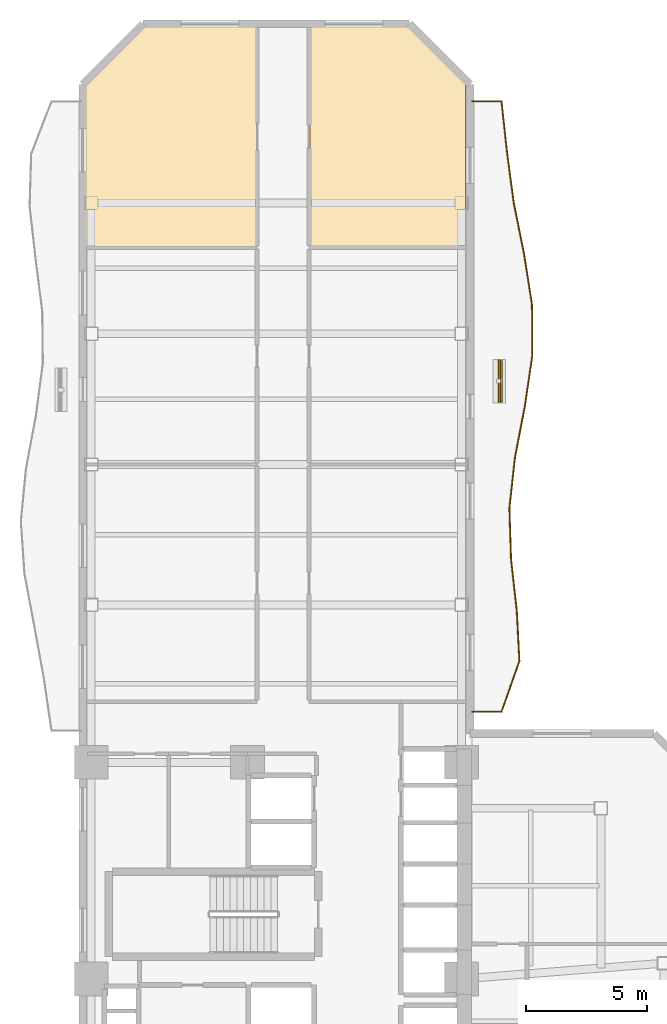
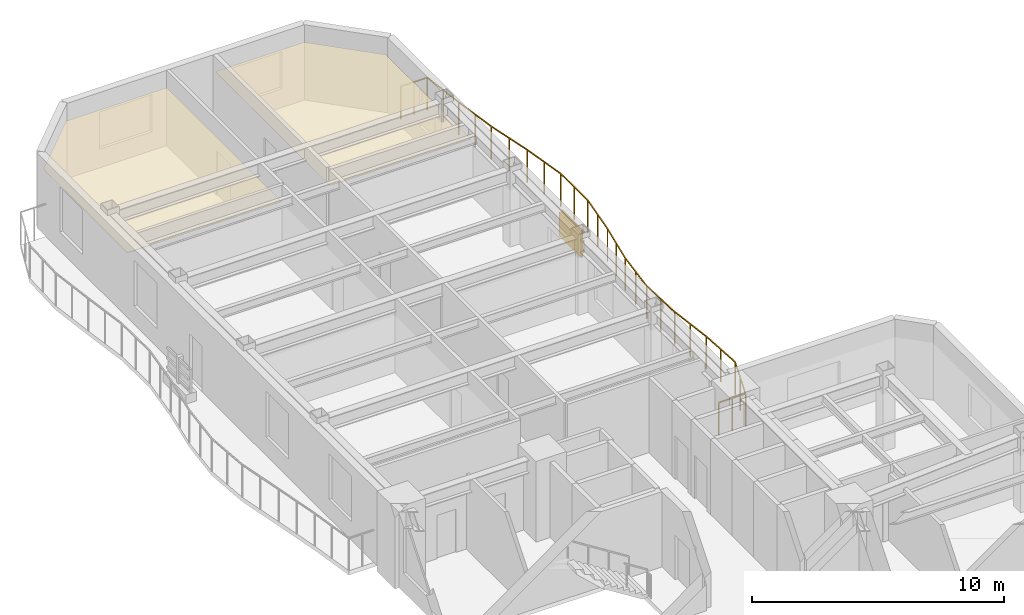
# One storey, part 10 of 10: 4 shading devices, 2 coverings, 1 railing.
"""IFC4 building model written with IfcOpenShell, lengths in metres."""

from ifc_helpers import new_model, si_unit, direction, frame, origin, origin_2d, place, context, subcontext, project, spatial, polyline, rectangle, outline, extrude, material, layer, layer_set, material_profile, profile_set, type_object, element, save


model = new_model("IFC4")

# Units and contexts
model_context = context("Model", 3, precision=1e-05, world=origin(), true_north=direction((0.0, 1.0)))
body_context = subcontext(model_context, "Body", "Model", "MODEL_VIEW")
ifc_project = project(units=[si_unit("LENGTHUNIT", "METRE"), si_unit("AREAUNIT", "SQUARE_METRE"), si_unit("VOLUMEUNIT", "CUBIC_METRE"), si_unit("PLANEANGLEUNIT", "RADIAN"), si_unit("MASSUNIT", "GRAM", prefix="KILO")], contexts=[model_context])

# Site, building, storey
site_placement = place(None, origin())
site = spatial("IfcSite", under=ifc_project, at=site_placement, CompositionType="ELEMENT")
building_placement = place(site_placement, origin())
building = spatial("IfcBuilding", under=site, at=building_placement, Name="Mawjaban Terraces University", CompositionType="ELEMENT")
storey_placement = place(building_placement, frame((0.0, 0.0, 89.5)))
storey = spatial("IfcBuildingStorey", under=building, at=storey_placement, Name="L21", CompositionType="ELEMENT", Elevation=89.5)

# Coverings
ifc_material_1 = material(Name="Acoustic mineral fibre ceiling tile", Category="masonry")
ifc_layer_1 = layer(ifc_material_1, 0.02001953125)
ifc_layer_set_1 = layer_set([ifc_layer_1], Name="Acoustic mineral fibre ceiling tile")
covering_type = type_object("IfcCoveringType", Name="AcousticMineralCeiling_20", PredefinedType="CEILING", material=ifc_layer_set_1)
covering_1_placement = place(storey_placement, frame((0.0, 0.0, 2.75)))
element("IfcCovering", 1, at=covering_1_placement, inside=storey, type_object=covering_type, Name="L21 Teaching Laboratory 14 Acoustic Ceiling", PredefinedType="CEILING", context=body_context, shape_type="SweptSolid", body=[
    extrude(outline(polyline([(29.169921875, 53.885009765625), (24.547119140625, 53.885009765625), (22.114990234375, 51.452880859375), (22.114990234375, 44.7900390625), (29.169921875, 44.7900390625), (29.169921875, 53.885009765625)])), origin(), (0.0, 0.0, 1.0), 0.02001953125),
])
covering_2_placement = place(storey_placement, frame((0.0, 0.0, 2.75)))
element("IfcCovering", 2, at=covering_2_placement, inside=storey, type_object=covering_type, Name="L21 Design Studio 15 Acoustic Ceiling", PredefinedType="CEILING", context=body_context, shape_type="SweptSolid", body=[
    extrude(outline(polyline([(37.820068359375, 51.51806640625), (35.452880859375, 53.885009765625), (31.3798828125, 53.885009765625), (31.3798828125, 44.7900390625), (37.820068359375, 44.7900390625), (37.820068359375, 51.51806640625)])), origin(), (0.0, 0.0, 1.0), 0.02001953125),
])

# Railing
ifc_material_2 = material(Name="Galvanised powder-coated steel S355", Category="steel")
railing_type = type_object("IfcRailingType", Name="BalconyBalustrade_1600", PredefinedType="BALUSTRADE", material=ifc_material_2)
railing_placement = place(storey_placement, frame((38.080078125, 25.5849609375, 0.0)))
element("IfcRailing", 3, at=railing_placement, inside=storey, type_object=railing_type, Name="L21 Balcony Guardrail inner_east", PredefinedType="BALUSTRADE", context=body_context, shape_type="SweptSolid", body=[
    extrude(rectangle(XDim=0.048095703125, YDim=0.048095703125, at=origin_2d()), frame((0.0, 0.0, 1.576171875), z_axis=(1.0, 0.0, 0.0), x_axis=(0.0, 1.0, 0.0)), (0.0, 0.0, 1.0), 1.219970703125),
    extrude(rectangle(XDim=0.048095703125, YDim=0.048095703125, at=origin_2d()), frame((1.219970703125, 0.0, 1.576171875), z_axis=(0.332195160634, 0.943210673843, 0.0), x_axis=(-0.943210673843, 0.332195160634, 0.0)), (0.0, 0.0, 1.0), 2.2275390625),
    extrude(rectangle(XDim=0.048095703125, YDim=0.048095703125, at=origin_2d()), frame((1.9599609375, 2.10107421875, 1.576171875), z_axis=(-0.05230923943, 0.998630934565, 0.0), x_axis=(-0.998630934565, -0.05230923943, 0.0)), (0.0, 0.0, 1.0), 2.10498046875),
    extrude(rectangle(XDim=0.048095703125, YDim=0.048095703125, at=origin_2d()), frame((1.849853515625, 4.203125, 1.576171875), z_axis=(-0.111103326396, 0.993808860327, 0.0), x_axis=(-0.993808860327, -0.111103326396, 0.0)), (0.0, 0.0, 1.0), 2.114013671875),
    extrude(rectangle(XDim=0.048095703125, YDim=0.048095703125, at=origin_2d()), frame((1.614990234375, 6.303955078125, 1.576171875), z_axis=(-0.032402219377, 0.99947491023, 0.0), x_axis=(-0.99947491023, -0.032402219377, 0.0)), (0.0, 0.0, 1.0), 2.102294921875),
    extrude(rectangle(XDim=0.048095703125, YDim=0.048095703125, at=origin_2d()), frame((1.546875, 8.405029296875, 1.576171875), z_axis=(0.108808630927, 0.994062715243, 0.0), x_axis=(-0.994062715243, 0.108808630927, 0.0)), (0.0, 0.0, 1.0), 2.113525390625),
    extrude(rectangle(XDim=0.048095703125, YDim=0.048095703125, at=origin_2d()), frame((1.77685546875, 10.506103515625, 1.576171875), z_axis=(0.189748722373, 0.981832685521, 0.0), x_axis=(-0.981832685521, 0.189748722373, 0.0)), (0.0, 0.0, 1.0), 2.1396484375),
    extrude(rectangle(XDim=0.048095703125, YDim=0.048095703125, at=origin_2d()), frame((2.182861328125, 12.60693359375, 1.576171875), z_axis=(0.145024189838, 0.989428109749, 0.0), x_axis=(-0.989428109749, 0.145024189838, 0.0)), (0.0, 0.0, 1.0), 2.12451171875),
    extrude(rectangle(XDim=0.048095703125, YDim=0.048095703125, at=origin_2d()), frame((2.490966796875, 14.708984375, 1.576171875), z_axis=(-0.005228838581, 0.99998632953, 0.0), x_axis=(-0.99998632953, -0.005228838581, 0.0)), (0.0, 0.0, 1.0), 2.10107421875),
    extrude(rectangle(XDim=0.048095703125, YDim=0.048095703125, at=origin_2d()), frame((2.47998046875, 16.81005859375, 1.576171875), z_axis=(-0.153851491603, 0.988093982641, 0.0), x_axis=(-0.988093982641, -0.153851491603, 0.0)), (0.0, 0.0, 1.0), 2.12646484375),
    extrude(rectangle(XDim=0.048095703125, YDim=0.048095703125, at=origin_2d()), frame((2.15283203125, 18.9111328125, 1.576171875), z_axis=(-0.19819667094, 0.98016227209, 0.0), x_axis=(-0.98016227209, -0.19819667094, 0.0)), (0.0, 0.0, 1.0), 2.143310546875),
    extrude(rectangle(XDim=0.048095703125, YDim=0.048095703125, at=origin_2d()), frame((1.72802734375, 21.011962890625, 1.576171875), z_axis=(-0.13159808428, 0.991303154547, 0.0), x_axis=(-0.991303154547, -0.13159808428, 0.0)), (0.0, 0.0, 1.0), 2.12060546875),
    extrude(rectangle(XDim=0.048095703125, YDim=0.048095703125, at=origin_2d()), frame((1.448974609375, 23.114013671875, 1.576171875), z_axis=(-0.108352034289, 0.99411258752, 0.0), x_axis=(-0.99411258752, -0.108352034289, 0.0)), (0.0, 0.0, 1.0), 2.113525390625),
    extrude(rectangle(XDim=0.048095703125, YDim=0.048095703125, at=origin_2d()), frame((1.219970703125, 25.215087890625, 1.576171875), z_axis=(-1.0, 0.0, 0.0), x_axis=(0.0, -1.0, 0.0)), (0.0, 0.0, 1.0), 1.219970703125),
    extrude(rectangle(XDim=0.0419921875, YDim=0.0419921875, at=origin_2d()), origin(), (0.0, 0.0, 1.0), 1.552001953125),
    extrude(rectangle(XDim=0.0419921875, YDim=0.0419921875, at=origin_2d()), frame((0.60986328125, 0.0, 0.0)), (0.0, 0.0, 1.0), 1.552001953125),
    extrude(rectangle(XDim=0.0419921875, YDim=0.0419921875, at=origin_2d()), frame((1.219970703125, 0.0, 0.0)), (0.0, 0.0, 1.0), 1.552001953125),
    extrude(rectangle(XDim=0.0419921875, YDim=0.0419921875, at=origin_2d()), frame((1.58984375, 1.050537109375, 0.0)), (0.0, 0.0, 1.0), 1.552001953125),
    extrude(rectangle(XDim=0.0419921875, YDim=0.0419921875, at=origin_2d()), frame((1.9599609375, 2.10107421875, 0.0)), (0.0, 0.0, 1.0), 1.552001953125),
    extrude(rectangle(XDim=0.0419921875, YDim=0.0419921875, at=origin_2d()), frame((1.90478515625, 3.152099609375, 0.0)), (0.0, 0.0, 1.0), 1.552001953125),
    extrude(rectangle(XDim=0.0419921875, YDim=0.0419921875, at=origin_2d()), frame((1.849853515625, 4.203125, 0.0)), (0.0, 0.0, 1.0), 1.552001953125),
    extrude(rectangle(XDim=0.0419921875, YDim=0.0419921875, at=origin_2d()), frame((1.732421875, 5.25341796875, 0.0)), (0.0, 0.0, 1.0), 1.552001953125),
    extrude(rectangle(XDim=0.0419921875, YDim=0.0419921875, at=origin_2d()), frame((1.614990234375, 6.303955078125, 0.0)), (0.0, 0.0, 1.0), 1.552001953125),
    extrude(rectangle(XDim=0.0419921875, YDim=0.0419921875, at=origin_2d()), frame((1.5810546875, 7.3544921875, 0.0)), (0.0, 0.0, 1.0), 1.552001953125),
    extrude(rectangle(XDim=0.0419921875, YDim=0.0419921875, at=origin_2d()), frame((1.546875, 8.405029296875, 0.0)), (0.0, 0.0, 1.0), 1.552001953125),
    extrude(rectangle(XDim=0.0419921875, YDim=0.0419921875, at=origin_2d()), frame((1.661865234375, 9.45556640625, 0.0)), (0.0, 0.0, 1.0), 1.552001953125),
    extrude(rectangle(XDim=0.0419921875, YDim=0.0419921875, at=origin_2d()), frame((1.77685546875, 10.506103515625, 0.0)), (0.0, 0.0, 1.0), 1.552001953125),
    extrude(rectangle(XDim=0.0419921875, YDim=0.0419921875, at=origin_2d()), frame((1.97998046875, 11.556640625, 0.0)), (0.0, 0.0, 1.0), 1.552001953125),
    extrude(rectangle(XDim=0.0419921875, YDim=0.0419921875, at=origin_2d()), frame((2.182861328125, 12.60693359375, 0.0)), (0.0, 0.0, 1.0), 1.552001953125),
    extrude(rectangle(XDim=0.0419921875, YDim=0.0419921875, at=origin_2d()), frame((2.3369140625, 13.657958984375, 0.0)), (0.0, 0.0, 1.0), 1.552001953125),
    extrude(rectangle(XDim=0.0419921875, YDim=0.0419921875, at=origin_2d()), frame((2.490966796875, 14.708984375, 0.0)), (0.0, 0.0, 1.0), 1.552001953125),
    extrude(rectangle(XDim=0.0419921875, YDim=0.0419921875, at=origin_2d()), frame((2.4853515625, 15.759521484375, 0.0)), (0.0, 0.0, 1.0), 1.552001953125),
    extrude(rectangle(XDim=0.0419921875, YDim=0.0419921875, at=origin_2d()), frame((2.47998046875, 16.81005859375, 0.0)), (0.0, 0.0, 1.0), 1.552001953125),
    extrude(rectangle(XDim=0.0419921875, YDim=0.0419921875, at=origin_2d()), frame((2.31640625, 17.860595703125, 0.0)), (0.0, 0.0, 1.0), 1.552001953125),
    extrude(rectangle(XDim=0.0419921875, YDim=0.0419921875, at=origin_2d()), frame((2.15283203125, 18.9111328125, 0.0)), (0.0, 0.0, 1.0), 1.552001953125),
    extrude(rectangle(XDim=0.0419921875, YDim=0.0419921875, at=origin_2d()), frame((1.9404296875, 19.96142578125, 0.0)), (0.0, 0.0, 1.0), 1.552001953125),
    extrude(rectangle(XDim=0.0419921875, YDim=0.0419921875, at=origin_2d()), frame((1.72802734375, 21.011962890625, 0.0)), (0.0, 0.0, 1.0), 1.552001953125),
    extrude(rectangle(XDim=0.0419921875, YDim=0.0419921875, at=origin_2d()), frame((1.58837890625, 22.06298828125, 0.0)), (0.0, 0.0, 1.0), 1.552001953125),
    extrude(rectangle(XDim=0.0419921875, YDim=0.0419921875, at=origin_2d()), frame((1.448974609375, 23.114013671875, 0.0)), (0.0, 0.0, 1.0), 1.552001953125),
    extrude(rectangle(XDim=0.0419921875, YDim=0.0419921875, at=origin_2d()), frame((1.33447265625, 24.16455078125, 0.0)), (0.0, 0.0, 1.0), 1.552001953125),
    extrude(rectangle(XDim=0.0419921875, YDim=0.0419921875, at=origin_2d()), frame((1.219970703125, 25.215087890625, 0.0)), (0.0, 0.0, 1.0), 1.552001953125),
    extrude(rectangle(XDim=0.0419921875, YDim=0.0419921875, at=origin_2d()), frame((0.60986328125, 25.215087890625, 0.0)), (0.0, 0.0, 1.0), 1.552001953125),
    extrude(rectangle(XDim=0.0419921875, YDim=0.0419921875, at=origin_2d()), frame((0.0, 25.215087890625, 0.0)), (0.0, 0.0, 1.0), 1.552001953125),
])

# Shading devices
ifc_material_3 = material(Name="Glazed architectural terracotta ceramic", Category="masonry")
ifc_material_profile = material_profile(ifc_material_3, rectangle(XDim=0.06494140625, YDim=0.110107421875, at=origin_2d()), Name="TBAG110X65")
ifc_profile_set = profile_set([ifc_material_profile], Name="Glazed architectural terracotta ceramic")
shading_device_type_1 = type_object("IfcShadingDeviceType", Name="TerracottaBaguette_110x65", PredefinedType="USERDEFINED", material=ifc_profile_set)
for number, where, z_axis, x_axis, name in (
    (4, (39.2880859375, 38.39306640625, 0.679931640625), (0.0, 1.0, 0.0), (-1.0, 0.0, 0.0), "L21 Horizontal Terracotta Baguette inner_east.1"),
    (5, (39.2880859375, 38.39306640625, 1.14990234375), (0.0, 1.0, 0.0), (-1.0, 0.0, 0.0), "L21 Horizontal Terracotta Baguette inner_east.2"),
    (6, (39.2880859375, 38.39306640625, 1.6201171875), (0.0, 1.0, 0.0), (-1.0, 0.0, 0.0), "L21 Horizontal Terracotta Baguette inner_east.3"),
):
    element("IfcShadingDevice", number, at=place(storey_placement, frame(where, z_axis=z_axis, x_axis=x_axis)), inside=storey, type_object=shading_device_type_1, Name=name, ObjectType="BAGUETTE", PredefinedType="USERDEFINED", context=body_context, shape_type="SweptSolid", body=[
        extrude(rectangle(XDim=0.06494140625, YDim=0.110107421875, at=origin_2d()), origin(), (0.0, 0.0, 1.0), 1.699951171875),
    ])
ifc_layer_2 = layer(ifc_material_3, 0.080078125)
ifc_layer_set_2 = layer_set([ifc_layer_2], Name="Glazed architectural terracotta ceramic")
shading_device_type_2 = type_object("IfcShadingDeviceType", Name="TerracottaScreen_Perforated", PredefinedType="USERDEFINED", material=ifc_layer_set_2)
shading_device_placement = place(storey_placement, frame((39.202880859375, 39.242919921875, 0.43994140625), z_axis=(0.0, 0.0, 1.0), x_axis=(0.0, 1.0, 0.0)))
element("IfcShadingDevice", 7, at=shading_device_placement, inside=storey, type_object=shading_device_type_2, Name="L21 Balcony Perforated Terracotta Screen inner_east", ObjectType="SCREEN", PredefinedType="USERDEFINED", context=body_context, shape_type="SweptSolid", body=[
    extrude(rectangle(XDim=1.75, YDim=0.080078125, at=origin_2d()), origin(), (0.0, 0.0, 1.0), 1.14990234375),
])

save(model, "model.ifc")
